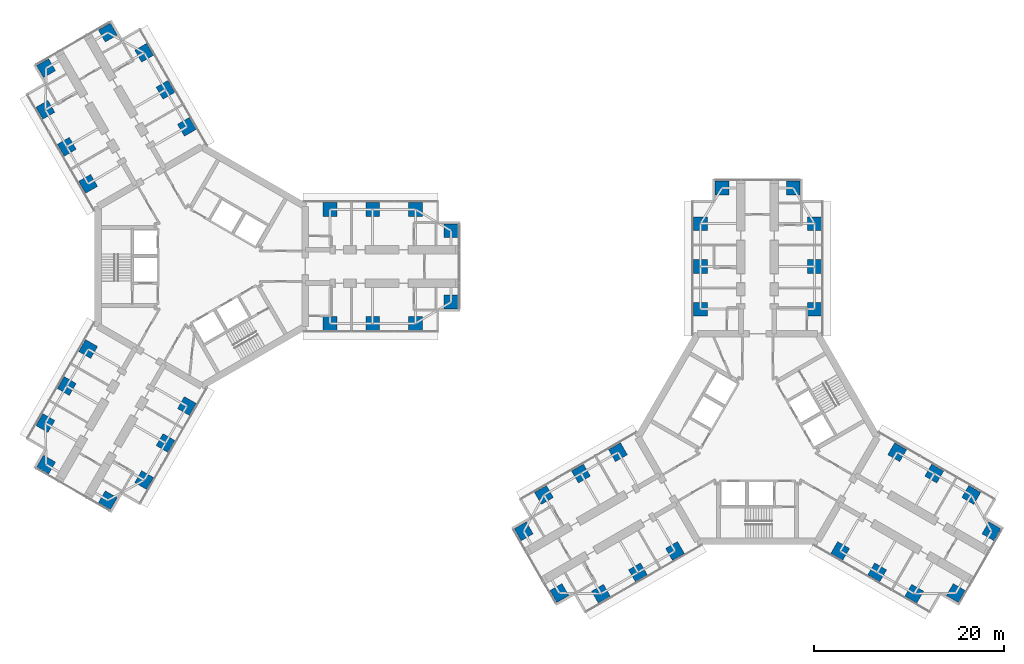
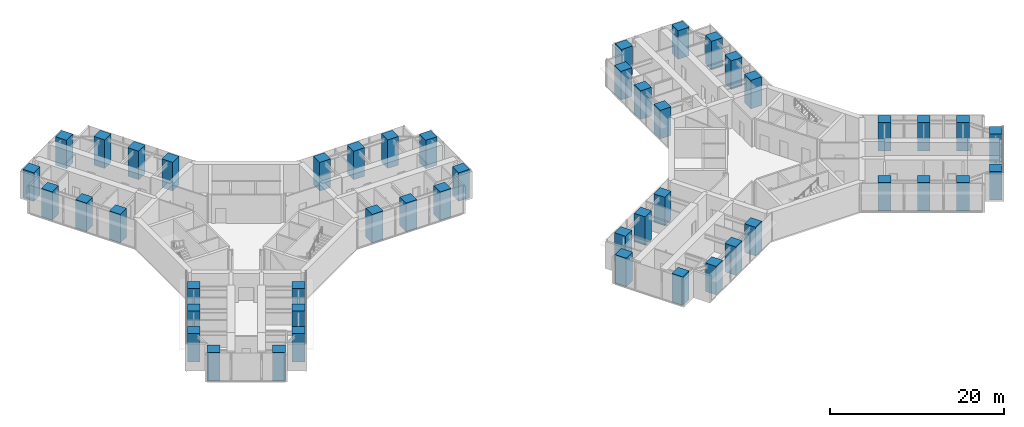
# One storey, part 1 of 24: 48 columns.
"""IFC4 building model written with IfcOpenShell, lengths in metres."""

import ifcopenshell
import ifcopenshell.guid

model = None  # the IFC model being written
_history = None  # IfcOwnerHistory: only IFC2X3 demands one
_inside = {}  # id of a spatial element -> (the spatial element, [elements in it])
_under = {}  # id of a project, library or spatial element -> (it, [spatial elements below it])
_declared = {}  # id of a project -> (the project, [libraries it declares])
_typed = {}  # id of a type object -> (the type object, [elements of that type])
_made_of = {}  # id of a material, layer set ... -> (it, [elements and type objects made of it])


def new_model(schema):
    """Start an empty IFC model of exactly this schema.

    Asked for "IFC4X3", IfcOpenShell would pick the latest addendum, in which some entities
    have other attributes; the version numbers below select the first issue.
    IFC2X3 requires an IfcOwnerHistory on every rooted entity: one is made here for all.
    """
    global model, _history
    if schema == "IFC4X3":
        model = ifcopenshell.file(schema_version=(4, 3, 0, 0))
    else:
        model = ifcopenshell.file(schema=schema)
    _inside.clear()
    _under.clear()
    _declared.clear()
    _typed.clear()
    _made_of.clear()
    _history = None
    if model.schema == "IFC2X3":
        org = make("IfcOrganization", Name="unknown")
        user = make(
            "IfcPersonAndOrganization",
            ThePerson=make("IfcPerson", FamilyName="unknown"),
            TheOrganization=org,
        )
        app = make(
            "IfcApplication",
            ApplicationDeveloper=org,
            Version="unknown",
            ApplicationFullName="unknown",
            ApplicationIdentifier="unknown",
        )
        _history = make(
            "IfcOwnerHistory",
            OwningUser=user,
            OwningApplication=app,
            ChangeAction="ADDED",
            CreationDate=0,
        )
    return model


def make(cls, **values):
    """One entity of the class cls with the attributes given. An attribute that is None is left unset."""
    return model.create_entity(
        cls, **{name: value for name, value in values.items() if value is not None}
    )


def rooted(cls, **values):
    """An entity with a GlobalId (a new one), such as an element, a storey or a relation."""
    return make(cls, GlobalId=ifcopenshell.guid.new(), OwnerHistory=_history, **values)


def si_unit(unit_type, name, prefix=None):
    """IfcSIUnit, for example si_unit("LENGTHUNIT", "METRE", prefix="MILLI")."""
    return make("IfcSIUnit", UnitType=unit_type, Prefix=prefix, Name=name)


def assignment(units):
    """IfcUnitAssignment: the units of a project."""
    return None if units is None else make("IfcUnitAssignment", Units=units)


def point(xyz):
    """IfcCartesianPoint."""
    return None if xyz is None else make("IfcCartesianPoint", Coordinates=xyz)


def direction(xyz):
    """IfcDirection."""
    return None if xyz is None else make("IfcDirection", DirectionRatios=xyz)


def frame(location, z_axis=None, x_axis=None):
    """IfcAxis2Placement3D, a coordinate frame: its origin and axes. An axis left out is left unset."""
    return make(
        "IfcAxis2Placement3D",
        Location=point(location),
        Axis=direction(z_axis),
        RefDirection=direction(x_axis),
    )


def frame_2d(location, x_axis=None):
    """IfcAxis2Placement2D, a coordinate frame in the plane: its origin and x axis."""
    return make(
        "IfcAxis2Placement2D", Location=point(location), RefDirection=direction(x_axis)
    )


def origin():
    """The frame at (0, 0, 0) with its axes left unset."""
    return frame((0.0, 0.0, 0.0))


def origin_2d():
    """The frame at (0, 0) in the plane with its x axis left unset."""
    return frame_2d((0.0, 0.0))


def place(relative_to, where):
    """IfcLocalPlacement: puts the frame where relative to a parent placement (None: the world)."""
    return make(
        "IfcLocalPlacement", PlacementRelTo=relative_to, RelativePlacement=where
    )


def context(
    kind, dimensions, precision=None, world=None, true_north=None, identifier=None
):
    """IfcGeometricRepresentationContext, for example the 3D "Model" context."""
    return make(
        "IfcGeometricRepresentationContext",
        ContextIdentifier=identifier,
        ContextType=kind,
        CoordinateSpaceDimension=dimensions,
        Precision=precision,
        WorldCoordinateSystem=world,
        TrueNorth=true_north,
    )


def subcontext(parent, identifier, kind, view, scale=None):
    """IfcGeometricRepresentationSubContext, for example "Body" below "Model"."""
    return make(
        "IfcGeometricRepresentationSubContext",
        ContextIdentifier=identifier,
        ContextType=kind,
        ParentContext=parent,
        TargetScale=scale,
        TargetView=view,
    )


def project(units=None, contexts=None):
    """IfcProject with its units and contexts."""
    return rooted(
        "IfcProject",
        Name="project",
        RepresentationContexts=contexts,
        UnitsInContext=assignment(units),
    )


def spatial(cls, under=None, at=None, **own):
    """A site, building, storey or space (cls), placed at a placement, below another one or the project."""
    s = rooted(cls, ObjectPlacement=at, **own)
    if under is not None:
        _under.setdefault(under.id(), (under, []))[1].append(s)
    return s


def profile(cls, at=None, kind="AREA", **sizes):
    """A parametric profile (cls). Its sizes go by their IFC names, for example OverallWidth=200.0."""
    return make(cls, ProfileType=kind, Position=at, **sizes)


def rectangle(**sizes):
    """IfcRectangleProfileDef."""
    return profile("IfcRectangleProfileDef", **sizes)


def extrude(swept, where, along, depth):
    """IfcExtrudedAreaSolid: the profile swept, set in the frame where, extruded along a direction by depth."""
    return make(
        "IfcExtrudedAreaSolid",
        SweptArea=swept,
        Position=where,
        ExtrudedDirection=direction(along),
        Depth=depth,
    )


def shape(context_of_items, identifier, shape_type, items):
    """IfcShapeRepresentation: the items that make up one representation, for example the "Body"."""
    return make(
        "IfcShapeRepresentation",
        ContextOfItems=context_of_items,
        RepresentationIdentifier=identifier,
        RepresentationType=shape_type,
        Items=items,
    )


def material(Name=None, Category=None):
    """IfcMaterial."""
    return make("IfcMaterial", Name=Name, Category=Category)


def material_profile(
    of_material, cross_section, Name=None, Category=None, Priority=None
):
    """IfcMaterialProfile: a cross section and its material."""
    return make(
        "IfcMaterialProfile",
        Name=Name,
        Material=of_material,
        Profile=cross_section,
        Priority=Priority,
        Category=Category,
    )


def profile_set(profiles, Name=None, composite=None):
    """IfcMaterialProfileSet."""
    return make(
        "IfcMaterialProfileSet",
        Name=Name,
        MaterialProfiles=profiles,
        CompositeProfile=composite,
    )


def made_of(thing, what):
    """Note that an element or type object is made of a material, layer set ...; save() writes the relation."""
    if what is not None:
        _made_of.setdefault(what.id(), (what, []))[1].append(thing)
    return thing


def type_object(cls, material=None, **own):
    """A type object (cls), such as IfcWallType, which elements share."""
    return made_of(rooted(cls, **own), material)


def element(
    cls,
    number,
    at=None,
    inside=None,
    cuts=None,
    type_object=None,
    material=None,
    context=None,
    identifier="Body",
    shape_type=None,
    held_by="IfcProductDefinitionShape",
    body=None,
    shapes=None,
    **own,
):
    """One element of the class cls, such as IfcWall. Its Tag is "e" and its number.

    at: its placement. inside: the storey or other place that contains it. cuts: it is an
    opening in that element (IfcRelVoidsElement). A single representation is given by context,
    identifier, shape_type and body (its items); several are given by shapes. held_by: the class
    of the entity that holds the representations. save() writes the other relations.
    """
    e = rooted(cls, Tag="e%d" % number, ObjectPlacement=at, **own)
    if body is not None:
        shapes = [shape(context, identifier, shape_type, body)]
    if shapes is not None:
        e.Representation = make(held_by, Representations=shapes)
    if inside is not None:
        _inside.setdefault(inside.id(), (inside, []))[1].append(e)
    if cuts is not None:
        rooted(
            "IfcRelVoidsElement", RelatingBuildingElement=cuts, RelatedOpeningElement=e
        )
    if type_object is not None:
        _typed.setdefault(type_object.id(), (type_object, []))[1].append(e)
    return made_of(e, material)


def aggregate(whole, parts):
    """IfcRelAggregates: a whole, such as a stair, and the parts it consists of."""
    return rooted("IfcRelAggregates", RelatingObject=whole, RelatedObjects=parts)


def save(model, path):
    """Write the relations noted so far, then the file.

    IfcRelAggregates (storeys below a building ...), IfcRelContainedInSpatialStructure (elements
    in a storey), IfcRelDefinesByType, IfcRelAssociatesMaterial and IfcRelDeclares: one each for
    every whole, place, type object, material and project.
    """
    for whole, parts in _under.values():
        aggregate(whole, parts)
    for where, things in _inside.values():
        rooted(
            "IfcRelContainedInSpatialStructure",
            RelatedElements=things,
            RelatingStructure=where,
        )
    for kind, things in _typed.values():
        rooted("IfcRelDefinesByType", RelatedObjects=things, RelatingType=kind)
    for what, things in _made_of.values():
        rooted("IfcRelAssociatesMaterial", RelatedObjects=things, RelatingMaterial=what)
    for by, libraries in _declared.values():
        rooted("IfcRelDeclares", RelatingContext=by, RelatedDefinitions=libraries)
    model.write(path)


model = new_model("IFC4")

# Units and contexts
model_context = context("Model", 3, precision=1e-05, world=origin(), true_north=direction((0.0, 1.0)))
body_context = subcontext(model_context, "Body", "Model", "MODEL_VIEW")
ifc_project = project(units=[si_unit("LENGTHUNIT", "METRE"), si_unit("AREAUNIT", "SQUARE_METRE"), si_unit("VOLUMEUNIT", "CUBIC_METRE"), si_unit("PLANEANGLEUNIT", "RADIAN"), si_unit("MASSUNIT", "GRAM", prefix="KILO")], contexts=[model_context])

# Site, building, storey
site_placement = place(None, origin())
site = spatial("IfcSite", under=ifc_project, at=site_placement, CompositionType="ELEMENT")
building_placement = place(site_placement, origin())
building = spatial("IfcBuilding", under=site, at=building_placement, Name="Upepo Twin Towers", CompositionType="ELEMENT")
storey_placement = place(building_placement, frame((0.0, 0.0, 56.5)))
storey = spatial("IfcBuildingStorey", under=building, at=storey_placement, Name="L13", CompositionType="ELEMENT", Elevation=56.5)

# Columns
ifc_material = material(Name="Concrete C60/75", Category="concrete")
ifc_material_profile = material_profile(ifc_material, rectangle(XDim=1.449951171875, YDim=1.449951171875, at=origin_2d()), Name="RC 1450x1450")
ifc_profile_set = profile_set([ifc_material_profile], Name="Concrete C60/75")
column_type = type_object("IfcColumnType", Name="Tower column RC 1450x1450", PredefinedType="COLUMN", material=ifc_profile_set)
for number, where, z_axis, x_axis, name in (
    (1, (13.5, 6.0, 0.0), (0.0, 0.0, 1.0), (1.0, 0.0, 0.0), "T1 column AL135"),
    (2, (13.5, -6.0, 0.0), (0.0, 0.0, 1.0), (1.0, 0.0, 0.0), "T1 column AR135"),
    (3, (18.0, 6.0, 0.0), (0.0, 0.0, 1.0), (1.0, 0.0, 0.0), "T1 column AL180"),
    (4, (18.0, -6.0, 0.0), (0.0, 0.0, 1.0), (1.0, 0.0, 0.0), "T1 column AR180"),
    (5, (22.5, 6.0, 0.0), (0.0, 0.0, 1.0), (1.0, 0.0, 0.0), "T1 column AL225"),
    (6, (22.5, -6.0, 0.0), (0.0, 0.0, 1.0), (1.0, 0.0, 0.0), "T1 column AR225"),
    (7, (26.25, 3.75, 0.0), (0.0, 0.0, 1.0), (1.0, 0.0, 0.0), "T1 column ALN"),
    (8, (26.25, -3.75, 0.0), (0.0, 0.0, 1.0), (1.0, 0.0, 0.0), "T1 column ARN"),
    (9, (-11.946044921875, 8.69140625, 0.0), (0.0, 0.0, 1.0), (0.866025403784, 0.5, 0.0), "T1 column BL135"),
    (10, (-1.553955078125, 14.69140625, 0.0), (0.0, 0.0, 1.0), (0.866025403784, 0.5, 0.0), "T1 column BR135"),
    (11, (-14.196044921875, 12.58837890625, 0.0), (0.0, 0.0, 1.0), (0.866025403784, 0.5, 0.0), "T1 column BL180"),
    (12, (-3.803955078125, 18.58837890625, 0.0), (0.0, 0.0, 1.0), (0.866025403784, 0.5, 0.0), "T1 column BR180"),
    (13, (-16.446044921875, 16.485595703125, 0.0), (0.0, 0.0, 1.0), (0.866025403784, 0.5, 0.0), "T1 column BL225"),
    (14, (-6.053955078125, 22.485595703125, 0.0), (0.0, 0.0, 1.0), (0.866025403784, 0.5, 0.0), "T1 column BR225"),
    (15, (-16.37255859375, 20.858154296875, 0.0), (0.0, 0.0, 1.0), (0.866025403784, 0.5, 0.0), "T1 column BLN"),
    (16, (-9.87744140625, 24.608154296875, 0.0), (0.0, 0.0, 1.0), (0.866025403784, 0.5, 0.0), "T1 column BRN"),
    (17, (-1.553955078125, -14.69140625, 0.0), (0.0, 0.0, 1.0), (0.5, 0.866025403784, 0.0), "T1 column CL135"),
    (18, (-11.946044921875, -8.69140625, 0.0), (0.0, 0.0, 1.0), (0.5, 0.866025403784, 0.0), "T1 column CR135"),
    (19, (-3.803955078125, -18.58837890625, 0.0), (0.0, 0.0, 1.0), (0.5, 0.866025403784, 0.0), "T1 column CL180"),
    (20, (-14.196044921875, -12.58837890625, 0.0), (0.0, 0.0, 1.0), (0.5, 0.866025403784, 0.0), "T1 column CR180"),
    (21, (-6.053955078125, -22.485595703125, 0.0), (0.0, 0.0, 1.0), (0.5, 0.866025403784, 0.0), "T1 column CL225"),
    (22, (-16.446044921875, -16.485595703125, 0.0), (0.0, 0.0, 1.0), (0.5, 0.866025403784, 0.0), "T1 column CR225"),
    (23, (-9.87744140625, -24.608154296875, 0.0), (0.0, 0.0, 1.0), (0.5, 0.866025403784, 0.0), "T1 column CLN"),
    (24, (-16.37255859375, -20.858154296875, 0.0), (0.0, 0.0, 1.0), (0.5, 0.866025403784, 0.0), "T1 column CRN"),
    (25, (52.5, -4.5, 0.0), (0.0, 0.0, 1.0), (1.0, 0.0, 0.0), "T2 column AL135"),
    (26, (64.5, -4.5, 0.0), (0.0, 0.0, 1.0), (1.0, 0.0, 0.0), "T2 column AR135"),
    (27, (52.5, 0.0, 0.0), (0.0, 0.0, 1.0), (1.0, 0.0, 0.0), "T2 column AL180"),
    (28, (64.5, 0.0, 0.0), (0.0, 0.0, 1.0), (1.0, 0.0, 0.0), "T2 column AR180"),
    (29, (52.5, 4.5, 0.0), (0.0, 0.0, 1.0), (1.0, 0.0, 0.0), "T2 column AL225"),
    (30, (64.5, 4.5, 0.0), (0.0, 0.0, 1.0), (1.0, 0.0, 0.0), "T2 column AR225"),
    (31, (54.75, 8.25, 0.0), (0.0, 0.0, 1.0), (1.0, 0.0, 0.0), "T2 column ALN"),
    (32, (62.25, 8.25, 0.0), (0.0, 0.0, 1.0), (1.0, 0.0, 0.0), "T2 column ARN"),
    (33, (49.80859375, -29.946044921875, 0.0), (0.0, 0.0, 1.0), (0.866025403784, 0.5, 0.0), "T2 column BL135"),
    (34, (43.80859375, -19.553955078125, 0.0), (0.0, 0.0, 1.0), (0.866025403784, 0.5, 0.0), "T2 column BR135"),
    (35, (45.91162109375, -32.196044921875, 0.0), (0.0, 0.0, 1.0), (0.866025403784, 0.5, 0.0), "T2 column BL180"),
    (36, (39.91162109375, -21.803955078125, 0.0), (0.0, 0.0, 1.0), (0.866025403784, 0.5, 0.0), "T2 column BR180"),
    (37, (42.014404296875, -34.446044921875, 0.0), (0.0, 0.0, 1.0), (0.866025403784, 0.5, 0.0), "T2 column BL225"),
    (38, (36.014404296875, -24.053955078125, 0.0), (0.0, 0.0, 1.0), (0.866025403784, 0.5, 0.0), "T2 column BR225"),
    (39, (37.641845703125, -34.37255859375, 0.0), (0.0, 0.0, 1.0), (0.866025403784, 0.5, 0.0), "T2 column BLN"),
    (40, (33.891845703125, -27.87744140625, 0.0), (0.0, 0.0, 1.0), (0.866025403784, 0.5, 0.0), "T2 column BRN"),
    (41, (73.19140625, -19.553955078125, 0.0), (0.0, 0.0, 1.0), (0.5, 0.866025403784, 0.0), "T2 column CL135"),
    (42, (67.19140625, -29.946044921875, 0.0), (0.0, 0.0, 1.0), (0.5, 0.866025403784, 0.0), "T2 column CR135"),
    (43, (77.08837890625, -21.803955078125, 0.0), (0.0, 0.0, 1.0), (0.5, 0.866025403784, 0.0), "T2 column CL180"),
    (44, (71.08837890625, -32.196044921875, 0.0), (0.0, 0.0, 1.0), (0.5, 0.866025403784, 0.0), "T2 column CR180"),
    (45, (80.985595703125, -24.053955078125, 0.0), (0.0, 0.0, 1.0), (0.5, 0.866025403784, 0.0), "T2 column CL225"),
    (46, (74.985595703125, -34.446044921875, 0.0), (0.0, 0.0, 1.0), (0.5, 0.866025403784, 0.0), "T2 column CR225"),
    (47, (83.108154296875, -27.87744140625, 0.0), (0.0, 0.0, 1.0), (0.5, 0.866025403784, 0.0), "T2 column CLN"),
    (48, (79.358154296875, -34.37255859375, 0.0), (0.0, 0.0, 1.0), (0.5, 0.866025403784, 0.0), "T2 column CRN"),
):
    element("IfcColumn", number, at=place(storey_placement, frame(where, z_axis=z_axis, x_axis=x_axis)), inside=storey, type_object=column_type, Name=name, PredefinedType="COLUMN", context=body_context, shape_type="SweptSolid", body=[
        extrude(rectangle(XDim=1.449951171875, YDim=1.449951171875, at=origin_2d()), origin(), (0.0, 0.0, 1.0), 4.0),
    ])

save(model, "model.ifc")
